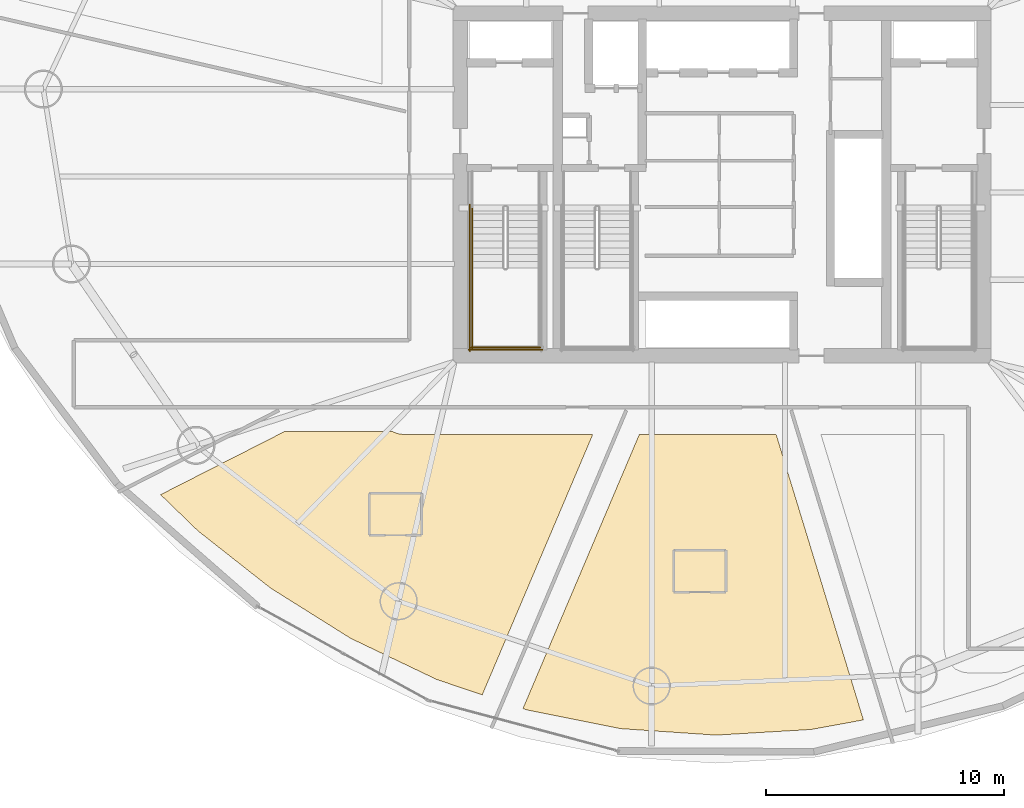
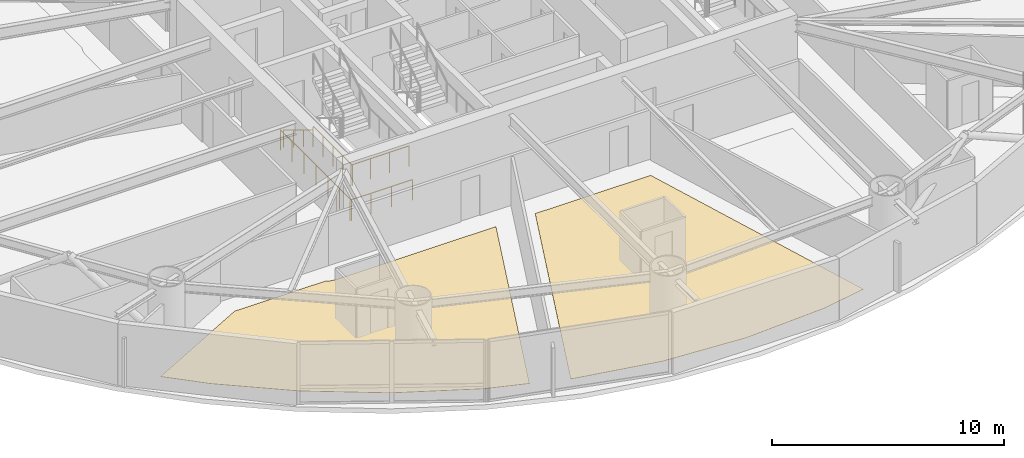
# One storey, part 20 of 23: 5 railings, 2 coverings.
"""IFC4 building model written with IfcOpenShell, lengths in metres."""

import ifcopenshell
import ifcopenshell.guid

model = None  # the IFC model being written
_history = None  # IfcOwnerHistory: only IFC2X3 demands one
_inside = {}  # id of a spatial element -> (the spatial element, [elements in it])
_under = {}  # id of a project, library or spatial element -> (it, [spatial elements below it])
_declared = {}  # id of a project -> (the project, [libraries it declares])
_typed = {}  # id of a type object -> (the type object, [elements of that type])
_made_of = {}  # id of a material, layer set ... -> (it, [elements and type objects made of it])


def new_model(schema):
    """Start an empty IFC model of exactly this schema.

    Asked for "IFC4X3", IfcOpenShell would pick the latest addendum, in which some entities
    have other attributes; the version numbers below select the first issue.
    IFC2X3 requires an IfcOwnerHistory on every rooted entity: one is made here for all.
    """
    global model, _history
    if schema == "IFC4X3":
        model = ifcopenshell.file(schema_version=(4, 3, 0, 0))
    else:
        model = ifcopenshell.file(schema=schema)
    _inside.clear()
    _under.clear()
    _declared.clear()
    _typed.clear()
    _made_of.clear()
    _history = None
    if model.schema == "IFC2X3":
        org = make("IfcOrganization", Name="unknown")
        user = make(
            "IfcPersonAndOrganization",
            ThePerson=make("IfcPerson", FamilyName="unknown"),
            TheOrganization=org,
        )
        app = make(
            "IfcApplication",
            ApplicationDeveloper=org,
            Version="unknown",
            ApplicationFullName="unknown",
            ApplicationIdentifier="unknown",
        )
        _history = make(
            "IfcOwnerHistory",
            OwningUser=user,
            OwningApplication=app,
            ChangeAction="ADDED",
            CreationDate=0,
        )
    return model


def make(cls, **values):
    """One entity of the class cls with the attributes given. An attribute that is None is left unset."""
    return model.create_entity(
        cls, **{name: value for name, value in values.items() if value is not None}
    )


def rooted(cls, **values):
    """An entity with a GlobalId (a new one), such as an element, a storey or a relation."""
    return make(cls, GlobalId=ifcopenshell.guid.new(), OwnerHistory=_history, **values)


def si_unit(unit_type, name, prefix=None):
    """IfcSIUnit, for example si_unit("LENGTHUNIT", "METRE", prefix="MILLI")."""
    return make("IfcSIUnit", UnitType=unit_type, Prefix=prefix, Name=name)


def assignment(units):
    """IfcUnitAssignment: the units of a project."""
    return None if units is None else make("IfcUnitAssignment", Units=units)


def point(xyz):
    """IfcCartesianPoint."""
    return None if xyz is None else make("IfcCartesianPoint", Coordinates=xyz)


def direction(xyz):
    """IfcDirection."""
    return None if xyz is None else make("IfcDirection", DirectionRatios=xyz)


def frame(location, z_axis=None, x_axis=None):
    """IfcAxis2Placement3D, a coordinate frame: its origin and axes. An axis left out is left unset."""
    return make(
        "IfcAxis2Placement3D",
        Location=point(location),
        Axis=direction(z_axis),
        RefDirection=direction(x_axis),
    )


def frame_2d(location, x_axis=None):
    """IfcAxis2Placement2D, a coordinate frame in the plane: its origin and x axis."""
    return make(
        "IfcAxis2Placement2D", Location=point(location), RefDirection=direction(x_axis)
    )


def origin():
    """The frame at (0, 0, 0) with its axes left unset."""
    return frame((0.0, 0.0, 0.0))


def origin_2d():
    """The frame at (0, 0) in the plane with its x axis left unset."""
    return frame_2d((0.0, 0.0))


def place(relative_to, where):
    """IfcLocalPlacement: puts the frame where relative to a parent placement (None: the world)."""
    return make(
        "IfcLocalPlacement", PlacementRelTo=relative_to, RelativePlacement=where
    )


def context(
    kind, dimensions, precision=None, world=None, true_north=None, identifier=None
):
    """IfcGeometricRepresentationContext, for example the 3D "Model" context."""
    return make(
        "IfcGeometricRepresentationContext",
        ContextIdentifier=identifier,
        ContextType=kind,
        CoordinateSpaceDimension=dimensions,
        Precision=precision,
        WorldCoordinateSystem=world,
        TrueNorth=true_north,
    )


def subcontext(parent, identifier, kind, view, scale=None):
    """IfcGeometricRepresentationSubContext, for example "Body" below "Model"."""
    return make(
        "IfcGeometricRepresentationSubContext",
        ContextIdentifier=identifier,
        ContextType=kind,
        ParentContext=parent,
        TargetScale=scale,
        TargetView=view,
    )


def project(units=None, contexts=None):
    """IfcProject with its units and contexts."""
    return rooted(
        "IfcProject",
        Name="project",
        RepresentationContexts=contexts,
        UnitsInContext=assignment(units),
    )


def spatial(cls, under=None, at=None, **own):
    """A site, building, storey or space (cls), placed at a placement, below another one or the project."""
    s = rooted(cls, ObjectPlacement=at, **own)
    if under is not None:
        _under.setdefault(under.id(), (under, []))[1].append(s)
    return s


def polyline(points):
    """IfcPolyline through the points."""
    return make("IfcPolyline", Points=[point(p) for p in points])


def profile(cls, at=None, kind="AREA", **sizes):
    """A parametric profile (cls). Its sizes go by their IFC names, for example OverallWidth=200.0."""
    return make(cls, ProfileType=kind, Position=at, **sizes)


def circle(**sizes):
    """IfcCircleProfileDef."""
    return profile("IfcCircleProfileDef", **sizes)


def outline(outer, holes=None, kind="AREA"):
    """IfcArbitraryClosedProfileDef: a profile drawn as a closed curve; with holes, ...WithVoids."""
    if holes is None:
        return make("IfcArbitraryClosedProfileDef", ProfileType=kind, OuterCurve=outer)
    return make(
        "IfcArbitraryProfileDefWithVoids",
        ProfileType=kind,
        OuterCurve=outer,
        InnerCurves=holes,
    )


def extrude(swept, where, along, depth):
    """IfcExtrudedAreaSolid: the profile swept, set in the frame where, extruded along a direction by depth."""
    return make(
        "IfcExtrudedAreaSolid",
        SweptArea=swept,
        Position=where,
        ExtrudedDirection=direction(along),
        Depth=depth,
    )


def shape(context_of_items, identifier, shape_type, items):
    """IfcShapeRepresentation: the items that make up one representation, for example the "Body"."""
    return make(
        "IfcShapeRepresentation",
        ContextOfItems=context_of_items,
        RepresentationIdentifier=identifier,
        RepresentationType=shape_type,
        Items=items,
    )


def material(Name=None, Category=None):
    """IfcMaterial."""
    return make("IfcMaterial", Name=Name, Category=Category)


def layer(
    of_material, thickness, ventilated=None, Name=None, Category=None, Priority=None
):
    """IfcMaterialLayer: one layer of a wall or slab, of a material (None: an air gap)."""
    return make(
        "IfcMaterialLayer",
        Material=of_material,
        LayerThickness=thickness,
        IsVentilated=ventilated,
        Name=Name,
        Category=Category,
        Priority=Priority,
    )


def layer_set(layers, Name=None):
    """IfcMaterialLayerSet."""
    return make("IfcMaterialLayerSet", MaterialLayers=layers, LayerSetName=Name)


def made_of(thing, what):
    """Note that an element or type object is made of a material, layer set ...; save() writes the relation."""
    if what is not None:
        _made_of.setdefault(what.id(), (what, []))[1].append(thing)
    return thing


def type_object(cls, material=None, **own):
    """A type object (cls), such as IfcWallType, which elements share."""
    return made_of(rooted(cls, **own), material)


def element(
    cls,
    number,
    at=None,
    inside=None,
    cuts=None,
    type_object=None,
    material=None,
    context=None,
    identifier="Body",
    shape_type=None,
    held_by="IfcProductDefinitionShape",
    body=None,
    shapes=None,
    **own,
):
    """One element of the class cls, such as IfcWall. Its Tag is "e" and its number.

    at: its placement. inside: the storey or other place that contains it. cuts: it is an
    opening in that element (IfcRelVoidsElement). A single representation is given by context,
    identifier, shape_type and body (its items); several are given by shapes. held_by: the class
    of the entity that holds the representations. save() writes the other relations.
    """
    e = rooted(cls, Tag="e%d" % number, ObjectPlacement=at, **own)
    if body is not None:
        shapes = [shape(context, identifier, shape_type, body)]
    if shapes is not None:
        e.Representation = make(held_by, Representations=shapes)
    if inside is not None:
        _inside.setdefault(inside.id(), (inside, []))[1].append(e)
    if cuts is not None:
        rooted(
            "IfcRelVoidsElement", RelatingBuildingElement=cuts, RelatedOpeningElement=e
        )
    if type_object is not None:
        _typed.setdefault(type_object.id(), (type_object, []))[1].append(e)
    return made_of(e, material)


def aggregate(whole, parts):
    """IfcRelAggregates: a whole, such as a stair, and the parts it consists of."""
    return rooted("IfcRelAggregates", RelatingObject=whole, RelatedObjects=parts)


def save(model, path):
    """Write the relations noted so far, then the file.

    IfcRelAggregates (storeys below a building ...), IfcRelContainedInSpatialStructure (elements
    in a storey), IfcRelDefinesByType, IfcRelAssociatesMaterial and IfcRelDeclares: one each for
    every whole, place, type object, material and project.
    """
    for whole, parts in _under.values():
        aggregate(whole, parts)
    for where, things in _inside.values():
        rooted(
            "IfcRelContainedInSpatialStructure",
            RelatedElements=things,
            RelatingStructure=where,
        )
    for kind, things in _typed.values():
        rooted("IfcRelDefinesByType", RelatedObjects=things, RelatingType=kind)
    for what, things in _made_of.values():
        rooted("IfcRelAssociatesMaterial", RelatedObjects=things, RelatingMaterial=what)
    for by, libraries in _declared.values():
        rooted("IfcRelDeclares", RelatingContext=by, RelatedDefinitions=libraries)
    model.write(path)


model = new_model("IFC4")

# Units and contexts
model_context = context("Model", 3, precision=1e-05, world=origin(), true_north=direction((0.0, 1.0)))
body_context = subcontext(model_context, "Body", "Model", "MODEL_VIEW")
ifc_project = project(units=[si_unit("LENGTHUNIT", "METRE"), si_unit("AREAUNIT", "SQUARE_METRE"), si_unit("VOLUMEUNIT", "CUBIC_METRE"), si_unit("PLANEANGLEUNIT", "RADIAN"), si_unit("MASSUNIT", "GRAM", prefix="KILO")], contexts=[model_context])

# Site, building, storey
site_placement = place(None, origin())
site = spatial("IfcSite", under=ifc_project, at=site_placement, CompositionType="ELEMENT")
building_placement = place(site_placement, origin())
building = spatial("IfcBuilding", under=site, at=building_placement, Name="Bramvorn Convention Spire", CompositionType="ELEMENT")
storey_placement = place(building_placement, frame((0.0, 0.0, 65.89990234375)))
storey = spatial("IfcBuildingStorey", under=building, at=storey_placement, Name="L14", CompositionType="ELEMENT", Elevation=65.89990234375)

# Coverings
ifc_material_1 = material(Name="Solution-Dyed Wool Broadloom Hospitality Carpet", Category="textile")
ifc_layer = layer(ifc_material_1, 0.014892578125)
ifc_layer_set = layer_set([ifc_layer], Name="Solution-Dyed Wool Broadloom Hospitality Carpet - FLR-CARPET-15")
covering_type = type_object("IfcCoveringType", Name="FLR-CARPET-15", PredefinedType="FLOORING", material=ifc_layer_set)
covering_1_placement = place(storey_placement, origin())
element("IfcCovering", 1, at=covering_1_placement, inside=storey, type_object=covering_type, Name="Hotel Suite 1406 wool broadloom carpet", PredefinedType="FLOORING", context=body_context, shape_type="SweptSolid", body=[
    extrude(outline(polyline([(26.00634765625, 5.20263671875), (27.9208984375, 4.558349609375), (32.565185546875, 15.5), (24.60009765625, 15.5), (24.338623046875, 15.538818359375), (24.13623046875, 15.6298828125), (19.630126953125, 15.6298828125), (14.406494140625, 12.968505859375), (15.979248046875, 11.445068359375), (19.037109375, 9.037109375), (22.397216796875, 6.92919921875), (26.00634765625, 5.20263671875)])), origin(), (0.0, 0.0, 1.0), 0.01513671875),
])
covering_2_placement = place(storey_placement, origin())
element("IfcCovering", 2, at=covering_2_placement, inside=storey, type_object=covering_type, Name="Hotel Suite 1407 wool broadloom carpet", PredefinedType="FLOORING", context=body_context, shape_type="SweptSolid", body=[
    extrude(outline(polyline([(41.7421875, 3.103271484375), (43.936279296875, 3.50439453125), (40.26904296875, 15.5), (34.520751953125, 15.5), (29.6318359375, 3.982666015625), (29.806884765625, 3.923583984375), (33.739013671875, 3.137451171875), (37.739501953125, 2.865234375), (41.7421875, 3.103271484375)])), origin(), (0.0, 0.0, 1.0), 0.01513671875),
])

# Railings
ifc_material_2 = material(Name="Painted Steel Balustrade & Guardrail", Category="steel")
railing_type_1 = type_object("IfcRailingType", Name="RL-STAIR-GUARD-1100", PredefinedType="GUARDRAIL", material=ifc_material_2)
railing_1_placement = place(storey_placement, frame((27.5, 22.485107421875, 1.75)))
element("IfcRailing", 3, at=railing_1_placement, inside=storey, type_object=railing_type_1, Name="L14 ST1 stair guard 3", PredefinedType="GUARDRAIL", context=body_context, shape_type="SweptSolid", body=[
    extrude(circle(Radius=0.02392578125, at=origin_2d()), frame((0.0, 0.0, 1.076171875), z_axis=(0.0, -1.0, 0.0), x_axis=(1.0, 0.0, 0.0)), (0.0, 0.0, 1.0), 3.385009765625),
    extrude(circle(Radius=0.02099609375, at=origin_2d()), origin(), (0.0, 0.0, 1.0), 1.052001953125),
    extrude(circle(Radius=0.02099609375, at=origin_2d()), frame((0.0, -0.84619140625, 0.0)), (0.0, 0.0, 1.0), 1.052001953125),
    extrude(circle(Radius=0.02099609375, at=origin_2d()), frame((0.0, -1.6923828125, 0.0)), (0.0, 0.0, 1.0), 1.052001953125),
    extrude(circle(Radius=0.02099609375, at=origin_2d()), frame((0.0, -2.538818359375, 0.0)), (0.0, 0.0, 1.0), 1.052001953125),
    extrude(circle(Radius=0.02099609375, at=origin_2d()), frame((0.0, -3.385009765625, 0.0)), (0.0, 0.0, 1.0), 1.052001953125),
])
railing_2_placement = place(storey_placement, frame((27.449951171875, 19.14990234375, 1.75)))
element("IfcRailing", 4, at=railing_2_placement, inside=storey, type_object=railing_type_1, Name="L14 ST1 stair guard 5", PredefinedType="GUARDRAIL", context=body_context, shape_type="SweptSolid", body=[
    extrude(circle(Radius=0.02392578125, at=origin_2d()), frame((0.0, 0.0, 1.076171875), z_axis=(1.0, 0.0, 0.0), x_axis=(0.0, 1.0, 0.0)), (0.0, 0.0, 1.0), 2.900146484375),
    extrude(circle(Radius=0.02099609375, at=origin_2d()), origin(), (0.0, 0.0, 1.0), 1.052001953125),
    extrude(circle(Radius=0.02099609375, at=origin_2d()), frame((0.966796875, 0.0, 0.0)), (0.0, 0.0, 1.0), 1.052001953125),
    extrude(circle(Radius=0.02099609375, at=origin_2d()), frame((1.933349609375, 0.0, 0.0)), (0.0, 0.0, 1.0), 1.052001953125),
    extrude(circle(Radius=0.02099609375, at=origin_2d()), frame((2.900146484375, 0.0, 0.0)), (0.0, 0.0, 1.0), 1.052001953125),
])
railing_3_placement = place(storey_placement, frame((27.39990234375, 25.14990234375, 0.0)))
element("IfcRailing", 5, at=railing_3_placement, inside=storey, type_object=railing_type_1, Name="L14 ST1 stair guard 10", PredefinedType="GUARDRAIL", context=body_context, shape_type="SweptSolid", body=[
    extrude(circle(Radius=0.02392578125, at=origin_2d()), frame((0.0, 0.0, 1.076171875), z_axis=(0.0, -1.0, 0.0), x_axis=(1.0, 0.0, 0.0)), (0.0, 0.0, 1.0), 6.14990234375),
    extrude(circle(Radius=0.02099609375, at=origin_2d()), origin(), (0.0, 0.0, 1.0), 1.052001953125),
    extrude(circle(Radius=0.02099609375, at=origin_2d()), frame((0.0, -1.02490234375, 0.0)), (0.0, 0.0, 1.0), 1.052001953125),
    extrude(circle(Radius=0.02099609375, at=origin_2d()), frame((0.0, -2.050048828125, 0.0)), (0.0, 0.0, 1.0), 1.052001953125),
    extrude(circle(Radius=0.02099609375, at=origin_2d()), frame((0.0, -3.074951171875, 0.0)), (0.0, 0.0, 1.0), 1.052001953125),
    extrude(circle(Radius=0.02099609375, at=origin_2d()), frame((0.0, -4.099853515625, 0.0)), (0.0, 0.0, 1.0), 1.052001953125),
    extrude(circle(Radius=0.02099609375, at=origin_2d()), frame((0.0, -5.125, 0.0)), (0.0, 0.0, 1.0), 1.052001953125),
    extrude(circle(Radius=0.02099609375, at=origin_2d()), frame((0.0, -6.14990234375, 0.0)), (0.0, 0.0, 1.0), 1.052001953125),
])
railing_4_placement = place(storey_placement, frame((27.35009765625, 19.050048828125, 0.0)))
element("IfcRailing", 6, at=railing_4_placement, inside=storey, type_object=railing_type_1, Name="L14 ST1 stair guard 12", PredefinedType="GUARDRAIL", context=body_context, shape_type="SweptSolid", body=[
    extrude(circle(Radius=0.02392578125, at=origin_2d()), frame((0.0, 0.0, 1.076171875), z_axis=(1.0, 0.0, 0.0), x_axis=(0.0, 1.0, 0.0)), (0.0, 0.0, 1.0), 3.099853515625),
    extrude(circle(Radius=0.02099609375, at=origin_2d()), origin(), (0.0, 0.0, 1.0), 1.052001953125),
    extrude(circle(Radius=0.02099609375, at=origin_2d()), frame((1.033203125, 0.0, 0.0)), (0.0, 0.0, 1.0), 1.052001953125),
    extrude(circle(Radius=0.02099609375, at=origin_2d()), frame((2.066650390625, 0.0, 0.0)), (0.0, 0.0, 1.0), 1.052001953125),
    extrude(circle(Radius=0.02099609375, at=origin_2d()), frame((3.099853515625, 0.0, 0.0)), (0.0, 0.0, 1.0), 1.052001953125),
])
ifc_material_3 = material(Name="Brushed Bronze Tubular Handrail", Category="aluminium")
railing_type_2 = type_object("IfcRailingType", Name="RL-STAIR-HR-920", PredefinedType="HANDRAIL", material=ifc_material_3)
railing_5_placement = place(storey_placement, frame((27.5, 25.050048828125, 0.175048828125)))
element("IfcRailing", 7, at=railing_5_placement, inside=storey, type_object=railing_type_2, Name="L14 ST1 stair handrail 1", PredefinedType="HANDRAIL", context=body_context, shape_type="SweptSolid", body=[
    extrude(circle(Radius=0.02392578125, at=origin_2d()), frame((0.0, 0.0, 0.89599609375), z_axis=(0.0, -0.852173129349, 0.523259933127), x_axis=(1.0, 0.0, 0.0)), (0.0, 0.0, 1.0), 3.009765625),
    extrude(circle(Radius=0.02099609375, at=origin_2d()), origin(), (0.0, 0.0, 1.0), 0.871826171875),
    extrude(circle(Radius=0.02099609375, at=origin_2d()), frame((0.0, -0.85498046875, 0.52490234375)), (0.0, 0.0, 1.0), 0.871826171875),
    extrude(circle(Radius=0.02099609375, at=origin_2d()), frame((0.0, -1.7099609375, 1.050048828125)), (0.0, 0.0, 1.0), 0.871826171875),
    extrude(circle(Radius=0.02099609375, at=origin_2d()), frame((0.0, -2.56494140625, 1.574951171875)), (0.0, 0.0, 1.0), 0.871826171875),
])

save(model, "model.ifc")
